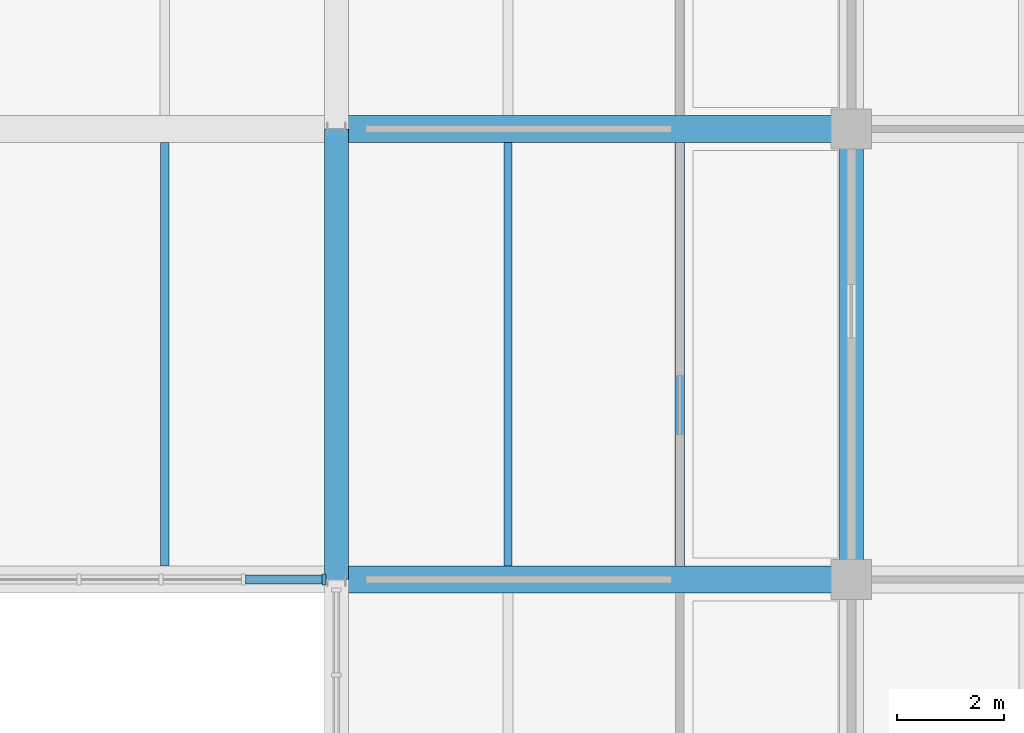
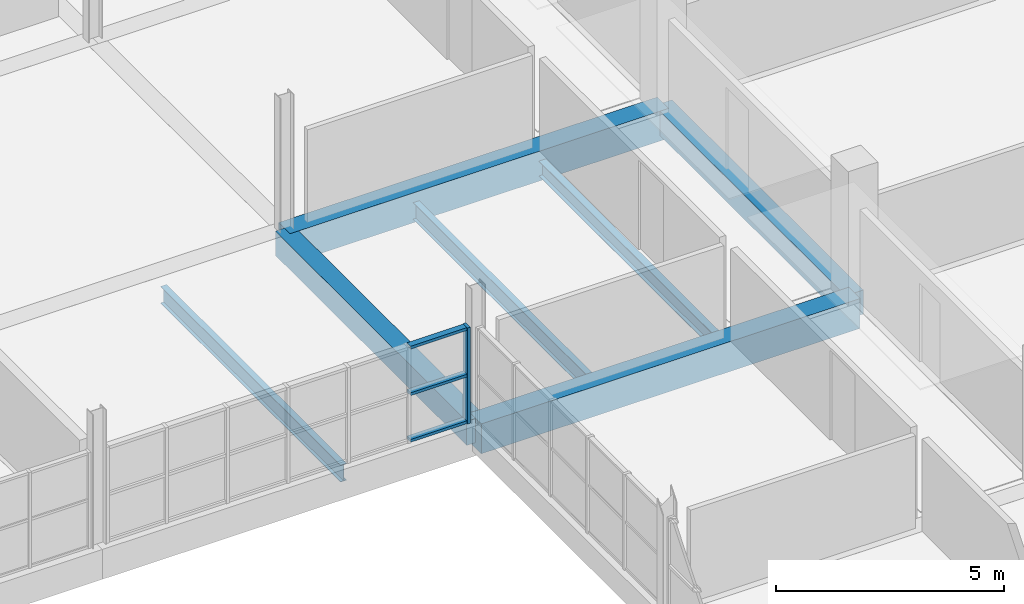
# One storey, part 45 of 147: 7 beams, 4 members, 1 element without a shape of its own.
"""IFC4 building model written with IfcOpenShell, lengths in metres."""

from ifc_helpers import new_model, si_unit, direction, frame, origin, origin_2d, place, context, subcontext, project, spatial, rectangle, i_section, extrude, material, material_profile, profile_set, type_object, element, aggregate, save


model = new_model("IFC4")

# Units and contexts
model_context = context("Model", 3, precision=1e-05, world=origin(), true_north=direction((0.0, 1.0)))
body_context = subcontext(model_context, "Body", "Model", "MODEL_VIEW")
ifc_project = project(units=[si_unit("LENGTHUNIT", "METRE"), si_unit("AREAUNIT", "SQUARE_METRE"), si_unit("VOLUMEUNIT", "CUBIC_METRE"), si_unit("PLANEANGLEUNIT", "RADIAN"), si_unit("MASSUNIT", "GRAM", prefix="KILO")], contexts=[model_context])

# Site, building, storey
site_placement = place(None, origin())
site = spatial("IfcSite", under=ifc_project, at=site_placement, CompositionType="ELEMENT")
building_placement = place(site_placement, origin())
building = spatial("IfcBuilding", under=site, at=building_placement, Name="Oolite Switchyard Hospital", CompositionType="ELEMENT")
storey_placement = place(building_placement, frame((0.0, 0.0, 9.89990234375)))
storey = spatial("IfcBuildingStorey", under=building, at=storey_placement, Name="L02", CompositionType="ELEMENT", Elevation=9.89990234375)

# Beams
ifc_material_1 = material(Name="Concrete C40/50", Category="concrete")
ifc_material_profile_1 = material_profile(ifc_material_1, rectangle(XDim=0.449951171875, YDim=0.64990234375, at=origin_2d()), Name="RCB450X650")
ifc_profile_set_1 = profile_set([ifc_material_profile_1], Name="Concrete C40/50")
beam_type_1 = type_object("IfcBeamType", Name="BM-RC450X650", PredefinedType="BEAM", material=ifc_profile_set_1)
for number, where, z_axis, x_axis, name in (
    (1, (115.199951171875, 84.0, -0.324951171875), (0.0, 1.0, 0.0), (-1.0, 0.0, 0.0), "L02 Y-Girder 1388"),
    (2, (124.800048828125, 84.0, -0.324951171875), (0.0, 1.0, 0.0), (-1.0, 0.0, 0.0), "L02 Y-Girder 1397"),
):
    element("IfcBeam", number, at=place(storey_placement, frame(where, z_axis=z_axis, x_axis=x_axis)), inside=storey, type_object=beam_type_1, Name=name, PredefinedType="BEAM", context=body_context, shape_type="SweptSolid", body=[
        extrude(rectangle(XDim=0.449951171875, YDim=0.64990234375, at=origin_2d()), origin(), (0.0, 0.0, 1.0), 8.39990234375),
    ])
ifc_material_profile_2 = material_profile(ifc_material_1, rectangle(XDim=0.5, YDim=0.800048828125, at=origin_2d()), Name="RCB500X800")
ifc_profile_set_2 = profile_set([ifc_material_profile_2], Name="Concrete C40/50")
beam_type_2 = type_object("IfcBeamType", Name="BM-RC500X800", PredefinedType="BEAM", material=ifc_profile_set_2)
for number, where, z_axis, x_axis, name in (
    (3, (115.199951171875, 84.0, -0.39990234375), (1.0, 0.0, 0.0), (0.0, 1.0, 0.0), "L02 X-Girder 1136"),
    (4, (115.199951171875, 92.39990234375, -0.39990234375), (1.0, 0.0, 0.0), (0.0, 1.0, 0.0), "L02 X-Girder 1154"),
):
    element("IfcBeam", number, at=place(storey_placement, frame(where, z_axis=z_axis, x_axis=x_axis)), inside=storey, type_object=beam_type_2, Name=name, PredefinedType="BEAM", context=body_context, shape_type="SweptSolid", body=[
        extrude(rectangle(XDim=0.5, YDim=0.800048828125, at=origin_2d()), origin(), (0.0, 0.0, 1.0), 9.60009765625),
    ])
ifc_material_2 = material(Name="Steel ASTM A992 Grade 50", Category="steel")
ifc_material_profile_3 = material_profile(ifc_material_2, i_section(OverallWidth=0.179931640625, OverallDepth=0.4130859375, WebThickness=0.010009765625, FlangeThickness=0.01611328125, at=origin_2d()), Name="W16X50")
ifc_profile_set_3 = profile_set([ifc_material_profile_3], Name="Steel ASTM A992 Grade 50")
beam_type_3 = type_object("IfcBeamType", Name="BM-W16X50", PredefinedType="JOIST", material=ifc_profile_set_3)
beam_placement = place(storey_placement, frame((121.60009765625, 84.25, -0.4658203125), z_axis=(0.0, 1.0, 0.0), x_axis=(-1.0, 0.0, 0.0)))
element("IfcBeam", 5, at=beam_placement, inside=storey, type_object=beam_type_3, Name="L02 Secondary Steel Joist 1745", PredefinedType="JOIST", context=body_context, shape_type="SweptSolid", body=[
    extrude(i_section(OverallWidth=0.179931640625, OverallDepth=0.4130859375, WebThickness=0.010009765625, FlangeThickness=0.01611328125, at=origin_2d()), origin(), (0.0, 0.0, 1.0), 7.89990234375),
])
ifc_material_profile_4 = material_profile(ifc_material_2, i_section(OverallWidth=0.153076171875, OverallDepth=0.455078125, WebThickness=0.008056640625, FlangeThickness=0.012939453125, at=origin_2d()), Name="W18X40")
ifc_profile_set_4 = profile_set([ifc_material_profile_4], Name="Steel ASTM A992 Grade 50")
beam_type_4 = type_object("IfcBeamType", Name="BM-W18X40", PredefinedType="JOIST", material=ifc_profile_set_4)
for number, where, z_axis, x_axis, name in (
    (6, (112.0, 84.25, -0.48681640625), (0.0, 1.0, 0.0), (-1.0, 0.0, 0.0), "L02 Secondary Steel Joist 1727"),
    (7, (118.39990234375, 84.25, -0.48681640625), (0.0, 1.0, 0.0), (-1.0, 0.0, 0.0), "L02 Secondary Steel Joist 1744"),
):
    element("IfcBeam", number, at=place(storey_placement, frame(where, z_axis=z_axis, x_axis=x_axis)), inside=storey, type_object=beam_type_4, Name=name, PredefinedType="JOIST", context=body_context, shape_type="SweptSolid", body=[
        extrude(i_section(OverallWidth=0.153076171875, OverallDepth=0.455078125, WebThickness=0.008056640625, FlangeThickness=0.012939453125, at=origin_2d()), origin(), (0.0, 0.0, 1.0), 7.89990234375),
    ])

# Curtain wall, members
ifc_material_3 = material(Name="Thermally broken aluminum frame with laminated impact glazing", Category="aluminium")
curtain_wall_type = type_object("IfcCurtainWallType", Name="CW-UNIT-96X36", PredefinedType="USERDEFINED", material=ifc_material_3)
curtain_wall_placement = place(storey_placement, origin())
curtain_wall = element("IfcCurtainWall", 8, at=curtain_wall_placement, inside=storey, type_object=curtain_wall_type, Name="L02 Unitised Curtain Wall 255", ObjectType="UNITISED", PredefinedType="USERDEFINED")
ifc_material_4 = material(Name="Aluminium 6063-T6", Category="aluminium")
ifc_material_profile_5 = material_profile(ifc_material_4, rectangle(XDim=0.199951171875, YDim=0.074951171875, at=origin_2d()), Name="CWM75X200")
ifc_profile_set_5 = profile_set([ifc_material_profile_5], Name="Aluminium 6063-T6")
member_type_1 = type_object("IfcMemberType", Name="CW-MUL-260", PredefinedType="MULLION", material=ifc_profile_set_5)
member_1_placement = place(storey_placement, frame((114.969482421875, 84.0, 0.0), z_axis=(0.0, 0.0, 1.0), x_axis=(0.0, -1.0, 0.0)))
member_1 = element("IfcMember", 9, at=member_1_placement, type_object=member_type_1, Name="CW-03 mullion 1", PredefinedType="MULLION", context=body_context, shape_type="SweptSolid", body=[
    extrude(rectangle(XDim=0.199951171875, YDim=0.074951171875, at=origin_2d()), origin(), (0.0, 0.0, 1.0), 2.570068359375),
])
ifc_material_profile_6 = material_profile(ifc_material_4, rectangle(XDim=0.159912109375, YDim=0.074951171875, at=origin_2d()), Name="CWT75X160")
ifc_profile_set_6 = profile_set([ifc_material_profile_6], Name="Aluminium 6063-T6")
member_type_2 = type_object("IfcMemberType", Name="CW-TRN-180", PredefinedType="USERDEFINED", material=ifc_profile_set_6)
member_2_placement = place(storey_placement, frame((114.931884765625, 84.0, 0.03759765625), z_axis=(-1.0, 0.0, 0.0), x_axis=(0.0, -1.0, 0.0)))
member_2 = element("IfcMember", 10, at=member_2_placement, type_object=member_type_2, Name="CW-03 transom 1.1", ObjectType="TRANSOM", PredefinedType="USERDEFINED", context=body_context, shape_type="SweptSolid", body=[
    extrude(rectangle(XDim=0.159912109375, YDim=0.074951171875, at=origin_2d()), origin(), (0.0, 0.0, 1.0), 1.423095703125),
])
member_3_placement = place(storey_placement, frame((114.931884765625, 84.0, 1.28515625), z_axis=(-1.0, 0.0, 0.0), x_axis=(0.0, -1.0, 0.0)))
member_3 = element("IfcMember", 11, at=member_3_placement, type_object=member_type_2, Name="CW-03 transom 1.2", ObjectType="TRANSOM", PredefinedType="USERDEFINED", context=body_context, shape_type="SweptSolid", body=[
    extrude(rectangle(XDim=0.159912109375, YDim=0.074951171875, at=origin_2d()), origin(), (0.0, 0.0, 1.0), 1.423095703125),
])
member_4_placement = place(storey_placement, frame((114.931884765625, 84.0, 2.53271484375), z_axis=(-1.0, 0.0, 0.0), x_axis=(0.0, -1.0, 0.0)))
member_4 = element("IfcMember", 12, at=member_4_placement, type_object=member_type_2, Name="CW-03 transom 1.3", ObjectType="TRANSOM", PredefinedType="USERDEFINED", context=body_context, shape_type="SweptSolid", body=[
    extrude(rectangle(XDim=0.159912109375, YDim=0.074951171875, at=origin_2d()), origin(), (0.0, 0.0, 1.0), 1.423095703125),
])
aggregate(curtain_wall, [member_1, member_2, member_3, member_4])

save(model, "model.ifc")
